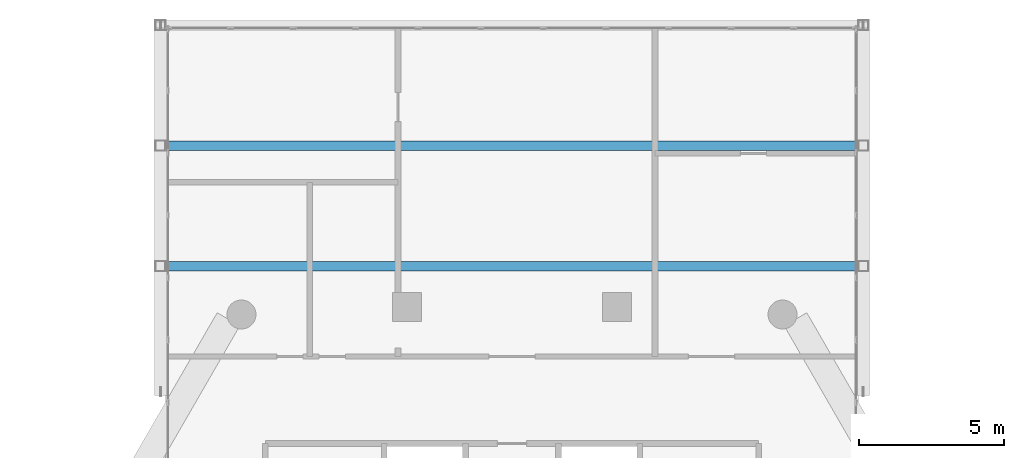
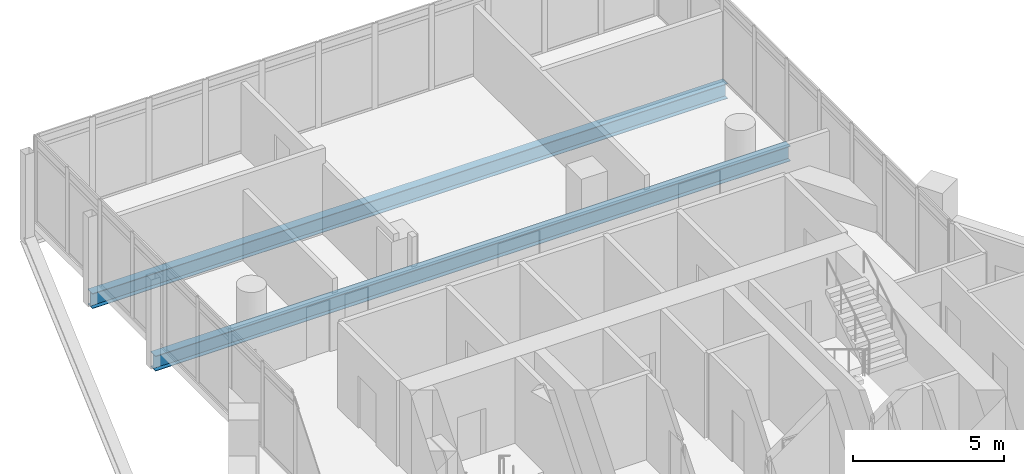
# One storey, part 21 of 38: 2 beams.
"""IFC4 building model written with IfcOpenShell, lengths in metres."""

from ifc_helpers import new_model, si_unit, direction, frame, origin, origin_2d, place, context, subcontext, project, spatial, i_section, extrude, material, material_profile, profile_set, type_object, element, save


model = new_model("IFC4")

# Units and contexts
model_context = context("Model", 3, precision=1e-05, world=origin(), true_north=direction((0.0, 1.0)))
body_context = subcontext(model_context, "Body", "Model", "MODEL_VIEW")
ifc_project = project(units=[si_unit("LENGTHUNIT", "METRE"), si_unit("AREAUNIT", "SQUARE_METRE"), si_unit("VOLUMEUNIT", "CUBIC_METRE"), si_unit("PLANEANGLEUNIT", "RADIAN"), si_unit("MASSUNIT", "GRAM", prefix="KILO")], contexts=[model_context])

# Site, building, storey
site_placement = place(None, origin())
site = spatial("IfcSite", under=ifc_project, at=site_placement, CompositionType="ELEMENT")
building_placement = place(site_placement, origin())
building = spatial("IfcBuilding", under=site, at=building_placement, Name="Ostrander Bayou Hotel Tower", CompositionType="ELEMENT")
storey_placement = place(building_placement, frame((0.0, 0.0, 194.5)))
storey = spatial("IfcBuildingStorey", under=building, at=storey_placement, Name="L48", CompositionType="ELEMENT", Elevation=194.5)

# Beams
ifc_material = material(Name="Steel ASTM A992", Category="steel")
ifc_material_profile = material_profile(ifc_material, i_section(OverallWidth=0.32373046875, OverallDepth=0.611083984375, WebThickness=0.0126953125, FlangeThickness=0.01904296875, at=origin_2d()))
ifc_profile_set = profile_set([ifc_material_profile], Name="Steel ASTM A992")
beam_type = type_object("IfcBeamType", Name="TF2 bar floor beam W24x104", PredefinedType="BEAM", material=ifc_profile_set)
for number, where, z_axis, x_axis, name in (
    (1, (-12.110107421875, 23.861328125, -0.605712890625), (1.0, 0.0, 0.0), (0.0, 1.0, 0.0), "TF2 SB4W L1-2"),
    (2, (-12.110107421875, 19.706787109375, -0.605712890625), (1.0, 0.0, 0.0), (0.0, 1.0, 0.0), "TF2 SB4W L1-3"),
):
    element("IfcBeam", number, at=place(storey_placement, frame(where, z_axis=z_axis, x_axis=x_axis)), inside=storey, type_object=beam_type, Name=name, PredefinedType="BEAM", context=body_context, shape_type="SweptSolid", body=[
        extrude(i_section(OverallWidth=0.32373046875, OverallDepth=0.611083984375, WebThickness=0.0126953125, FlangeThickness=0.01904296875, at=origin_2d()), origin(), (0.0, 0.0, 1.0), 24.22021484375),
    ])

save(model, "model.ifc")
